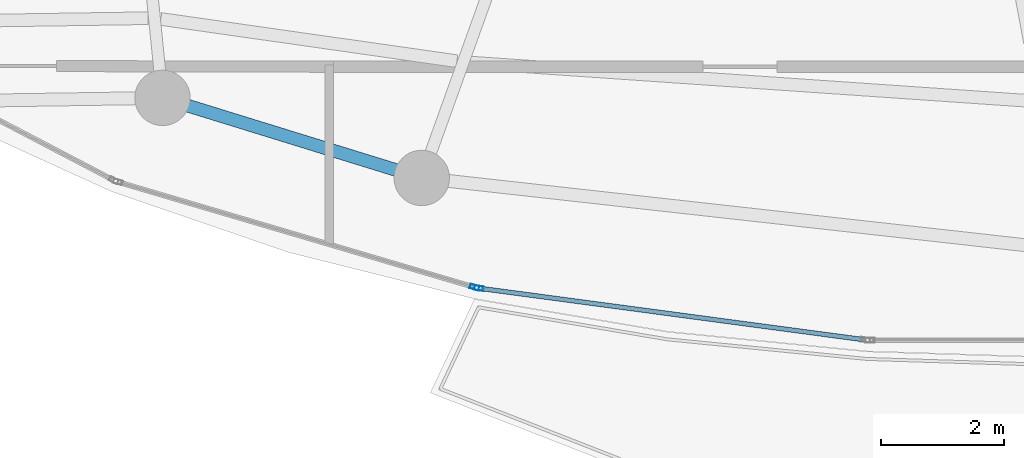
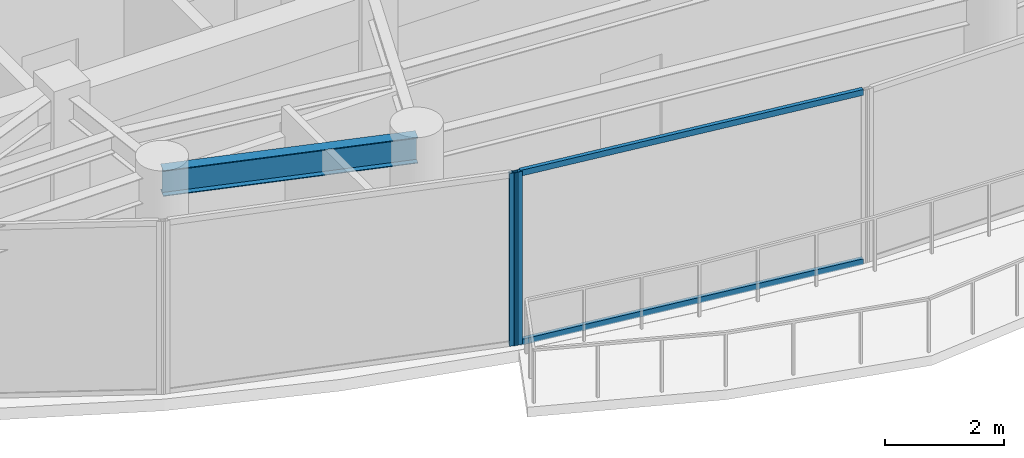
# One storey, part 5 of 29: 4 members, 1 beam, 2 elements without a shape of their own.
"""IFC4 building model written with IfcOpenShell, lengths in metres."""

from ifc_helpers import new_model, si_unit, direction, frame, origin, origin_2d, place, context, subcontext, project, spatial, hollow_rectangle, i_section, extrude, material, layer, layer_set, material_profile, profile_set, type_object, element, aggregate, save


model = new_model("IFC4")

# Units and contexts
model_context = context("Model", 3, precision=1e-05, world=origin(), true_north=direction((0.0, 1.0)))
body_context = subcontext(model_context, "Body", "Model", "MODEL_VIEW")
ifc_project = project(units=[si_unit("LENGTHUNIT", "METRE"), si_unit("AREAUNIT", "SQUARE_METRE"), si_unit("VOLUMEUNIT", "CUBIC_METRE"), si_unit("PLANEANGLEUNIT", "RADIAN"), si_unit("MASSUNIT", "GRAM", prefix="KILO")], contexts=[model_context])

# Site, building, storey
site_placement = place(None, origin())
site = spatial("IfcSite", under=ifc_project, at=site_placement, CompositionType="ELEMENT")
building_placement = place(site_placement, origin())
building = spatial("IfcBuilding", under=site, at=building_placement, Name="Kazevale Care Tower and Concert Hall", CompositionType="ELEMENT")
storey_placement = place(building_placement, frame((0.0, 0.0, 285.199951171875)))
storey = spatial("IfcBuildingStorey", under=building, at=storey_placement, Name="L75", CompositionType="ELEMENT", Elevation=285.199951171875)

# Curtain wall, member
ifc_material_1 = material(Name="Aluminium 6063-T6 and Low-E Glass", Category="aluminium")
ifc_layer = layer(ifc_material_1, 0.179931640625)
ifc_layer_set = layer_set([ifc_layer], Name="Aluminium 6063-T6 and Low-E Glass")
curtain_wall_type = type_object("IfcCurtainWallType", Name="Sheltered Concave Balcony Curtain Wall CW-5", PredefinedType="NOTDEFINED", material=ifc_layer_set)
curtain_wall_1_placement = place(storey_placement, origin())
curtain_wall_1 = element("IfcCurtainWall", 1, at=curtain_wall_1_placement, inside=storey, type_object=curtain_wall_type, Name="cw:L75:f07", PredefinedType="NOTDEFINED")
ifc_material_2 = material(Name="Aluminium 6063-T6", Category="aluminium")
ifc_material_profile_1 = material_profile(ifc_material_2, hollow_rectangle(XDim=0.074951171875, YDim=0.14990234375, WallThickness=0.00390625, at=origin_2d()), Name="ALU75x150x4")
ifc_profile_set_1 = profile_set([ifc_material_profile_1], Name="Aluminium 6063-T6")
member_type_1 = type_object("IfcMemberType", Name="CW-5 Mullion ALU75x150x4", PredefinedType="MULLION", material=ifc_profile_set_1)
member_1_placement = place(storey_placement, frame((35.43017578125, 17.629150390625, 0.0), z_axis=(0.0, 0.0, 1.0), x_axis=(-0.132542069018, -0.991177380664, 0.0)))
member_1 = element("IfcMember", 2, at=member_1_placement, type_object=member_type_1, Name="CW-5 mullion 2", PredefinedType="MULLION", context=body_context, shape_type="SweptSolid", body=[
    extrude(hollow_rectangle(XDim=0.074951171875, YDim=0.14990234375, WallThickness=0.00390625, at=origin_2d()), origin(), (0.0, 0.0, 1.0), 3.56005859375),
])

curtain_wall_2_placement = place(storey_placement, origin())
curtain_wall_2 = element("IfcCurtainWall", 3, at=curtain_wall_2_placement, inside=storey, type_object=curtain_wall_type, Name="cw:L75:f08", PredefinedType="NOTDEFINED")
member_2_placement = place(storey_placement, frame((35.35693359375, 17.64453125, 0.0), z_axis=(0.0, 0.0, 1.0), x_axis=(-0.283202506274, -0.959060133902, 0.0)))
member_2 = element("IfcMember", 4, at=member_2_placement, type_object=member_type_1, Name="CW-5 mullion 1", PredefinedType="MULLION", context=body_context, shape_type="SweptSolid", body=[
    extrude(hollow_rectangle(XDim=0.074951171875, YDim=0.14990234375, WallThickness=0.00390625, at=origin_2d()), origin(), (0.0, 0.0, 1.0), 3.56005859375),
])
aggregate(curtain_wall_2, [member_2])

# Member
ifc_material_profile_2 = material_profile(ifc_material_2, hollow_rectangle(XDim=0.074951171875, YDim=0.1201171875, WallThickness=0.00390625, at=origin_2d()), Name="ALU75x120x4")
ifc_profile_set_2 = profile_set([ifc_material_profile_2], Name="Aluminium 6063-T6")
member_type_2 = type_object("IfcMemberType", Name="CW-5 Transom ALU75x120x4", PredefinedType="USERDEFINED", material=ifc_profile_set_2)
member_3_placement = place(storey_placement, frame((41.667724609375, 16.794921875, 0.03759765625), z_axis=(-0.991178066261, 0.132536941884, 0.0), x_axis=(-0.132536941884, -0.991178066261, 0.0)))
member_3 = element("IfcMember", 5, at=member_3_placement, type_object=member_type_2, Name="CW-5 transom 1.1", ObjectType="TRANSOM", PredefinedType="USERDEFINED", context=body_context, shape_type="SweptSolid", body=[
    extrude(hollow_rectangle(XDim=0.074951171875, YDim=0.1201171875, WallThickness=0.00390625, at=origin_2d()), origin(), (0.0, 0.0, 1.0), 6.255615234375),
])

member_4_placement = place(storey_placement, frame((41.667724609375, 16.794921875, 3.5224609375), z_axis=(-0.991178066261, 0.132536941884, 0.0), x_axis=(-0.132536941884, -0.991178066261, 0.0)))
member_4 = element("IfcMember", 6, at=member_4_placement, type_object=member_type_2, Name="CW-5 transom 1.2", ObjectType="TRANSOM", PredefinedType="USERDEFINED", context=body_context, shape_type="SweptSolid", body=[
    extrude(hollow_rectangle(XDim=0.074951171875, YDim=0.1201171875, WallThickness=0.00390625, at=origin_2d()), origin(), (0.0, 0.0, 1.0), 6.255615234375),
])

aggregate(curtain_wall_1, [member_1, member_3, member_4])

# Beam
ifc_material_3 = material(Name="Steel ASTM A572 Gr 50", Category="steel")
ifc_material_profile_3 = material_profile(ifc_material_3, i_section(OverallWidth=0.208984375, OverallDepth=0.532958984375, WebThickness=0.01025390625, FlangeThickness=0.015625, at=origin_2d()), Name="W530x92")
ifc_profile_set_3 = profile_set([ifc_material_profile_3], Name="Steel ASTM A572 Gr 50")
beam_type = type_object("IfcBeamType", Name="Upper Ring Beam W530x92", PredefinedType="BEAM", material=ifc_profile_set_3)
beam_placement = place(storey_placement, frame((30.2900390625, 20.719970703125, 3.29345703125), z_axis=(0.955480204609, -0.295055212801, 0.0), x_axis=(0.295055212801, 0.955480204609, 0.0)))
element("IfcBeam", 7, at=beam_placement, inside=storey, type_object=beam_type, Name="beam:L75:ring:11", PredefinedType="BEAM", context=body_context, shape_type="SweptSolid", body=[
    extrude(i_section(OverallWidth=0.208984375, OverallDepth=0.532958984375, WebThickness=0.01025390625, FlangeThickness=0.015625, at=origin_2d()), origin(), (0.0, 0.0, 1.0), 4.406005859375),
])

save(model, "model.ifc")
